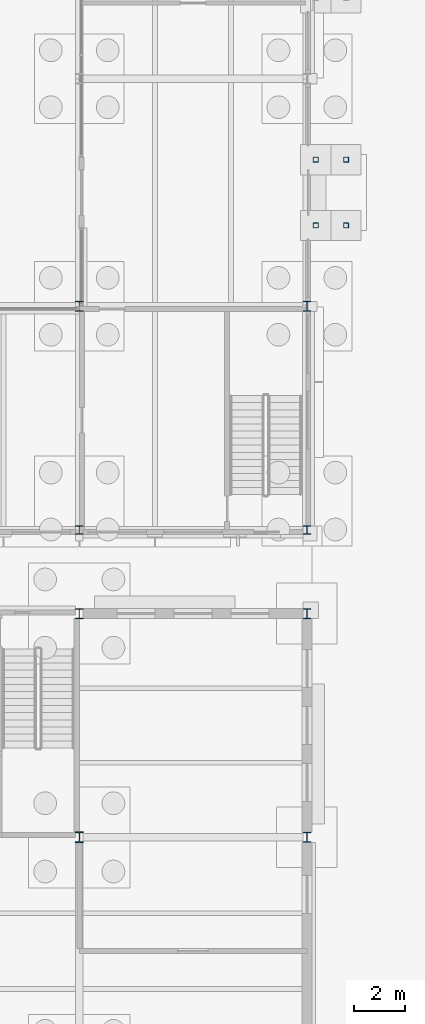
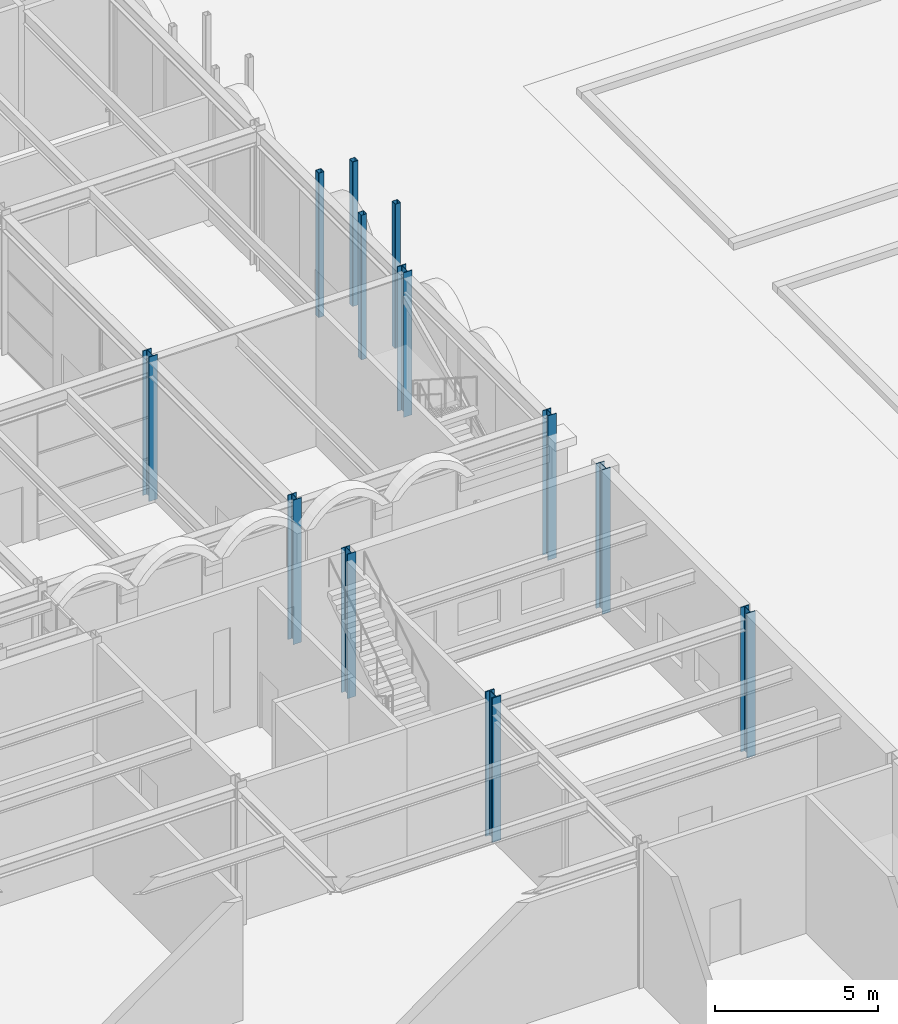
# One storey, part 13 of 126: 12 columns.
"""IFC4 building model written with IfcOpenShell, lengths in metres."""

from ifc_helpers import new_model, si_unit, direction, frame, origin, origin_2d, place, context, subcontext, project, spatial, hollow_rectangle, i_section, extrude, material, material_profile, profile_set, type_object, element, save


model = new_model("IFC4")

# Units and contexts
model_context = context("Model", 3, precision=1e-05, world=origin(), true_north=direction((0.0, 1.0)))
body_context = subcontext(model_context, "Body", "Model", "MODEL_VIEW")
ifc_project = project(units=[si_unit("LENGTHUNIT", "METRE"), si_unit("AREAUNIT", "SQUARE_METRE"), si_unit("VOLUMEUNIT", "CUBIC_METRE"), si_unit("PLANEANGLEUNIT", "RADIAN"), si_unit("MASSUNIT", "GRAM", prefix="KILO")], contexts=[model_context])

# Site, building, storey
site_placement = place(None, origin())
site = spatial("IfcSite", under=ifc_project, at=site_placement, CompositionType="ELEMENT")
building_placement = place(site_placement, origin())
building = spatial("IfcBuilding", under=site, at=building_placement, Name="Kallimachos Central Library", CompositionType="ELEMENT")
storey_placement = place(building_placement, origin())
storey = spatial("IfcBuildingStorey", under=building, at=storey_placement, Name="L00", CompositionType="ELEMENT", Elevation=0.0)

# Columns
ifc_material_1 = material(Name="Steel S355J2", Category="steel")
ifc_material_profile_1 = material_profile(ifc_material_1, i_section(OverallWidth=0.300048828125, OverallDepth=0.340087890625, WebThickness=0.011962890625, FlangeThickness=0.021484375, FilletRadius=0.027099609375, at=origin_2d()), Name="HEB 340")
ifc_profile_set_1 = profile_set([ifc_material_profile_1], Name="Steel S355J2")
column_type_1 = type_object("IfcColumnType", Name="HEB 340 column", PredefinedType="COLUMN", material=ifc_profile_set_1)
for number, where, z_axis, x_axis, name in (
    (1, (101.5, 48.14990234375, 0.0), (0.0, 0.0, 1.0), (1.0, 0.0, 0.0), "V4-COL-L00-004"),
    (2, (110.5, 48.14990234375, 0.0), (0.0, 0.0, 1.0), (1.0, 0.0, 0.0), "V4-COL-L00-005"),
):
    element("IfcColumn", number, at=place(storey_placement, frame(where, z_axis=z_axis, x_axis=x_axis)), inside=storey, type_object=column_type_1, Name=name, PredefinedType="COLUMN", context=body_context, shape_type="SweptSolid", body=[
        extrude(i_section(OverallWidth=0.300048828125, OverallDepth=0.340087890625, WebThickness=0.011962890625, FlangeThickness=0.021484375, FilletRadius=0.027099609375, at=origin_2d()), origin(), (0.0, 0.0, 1.0), 5.39990234375),
    ])
ifc_material_2 = material(Name="Steel S355J2", Category="steel")
ifc_material_profile_2 = material_profile(ifc_material_2, i_section(OverallWidth=0.300048828125, OverallDepth=0.39990234375, WebThickness=0.013427734375, FlangeThickness=0.02392578125, FilletRadius=0.027099609375, at=origin_2d()), Name="HEB 400")
ifc_profile_set_2 = profile_set([ifc_material_profile_2], Name="Steel S355J2")
column_type_2 = type_object("IfcColumnType", Name="HEB 400 column", PredefinedType="COLUMN", material=ifc_profile_set_2)
for number, where, z_axis, x_axis, name in (
    (3, (110.5, 36.0, 0.0), (0.0, 0.0, 1.0), (1.0, 0.0, 0.0), "V5-COL-L00-018"),
    (4, (101.5, 44.85009765625, 0.0), (0.0, 0.0, 1.0), (1.0, 0.0, 0.0), "V5-COL-L00-023"),
    (5, (110.5, 44.85009765625, 0.0), (0.0, 0.0, 1.0), (1.0, 0.0, 0.0), "V5-COL-L00-024"),
    (6, (101.5, 57.0, 0.0), (0.0, 0.0, 1.0), (1.0, 0.0, 0.0), "V4-COL-L00-010"),
    (7, (110.5, 57.0, 0.0), (0.0, 0.0, 1.0), (1.0, 0.0, 0.0), "V4-COL-L00-011"),
):
    element("IfcColumn", number, at=place(storey_placement, frame(where, z_axis=z_axis, x_axis=x_axis)), inside=storey, type_object=column_type_2, Name=name, PredefinedType="COLUMN", context=body_context, shape_type="SweptSolid", body=[
        extrude(i_section(OverallWidth=0.300048828125, OverallDepth=0.39990234375, WebThickness=0.013427734375, FlangeThickness=0.02392578125, FilletRadius=0.027099609375, at=origin_2d()), origin(), (0.0, 0.0, 1.0), 5.39990234375),
    ])
ifc_material_3 = material(Name="Steel S355J2", Category="steel")
ifc_material_profile_3 = material_profile(ifc_material_3, i_section(OverallWidth=0.306884765625, OverallDepth=0.431884765625, WebThickness=0.02099609375, FlangeThickness=0.0400390625, FilletRadius=0.027099609375, at=origin_2d()), Name="HEM 400")
ifc_profile_set_3 = profile_set([ifc_material_profile_3], Name="Steel S355J2")
column_type_3 = type_object("IfcColumnType", Name="HEM 400 column", PredefinedType="COLUMN", material=ifc_profile_set_3)
column_placement = place(storey_placement, frame((101.5, 36.0, 0.0), z_axis=(0.0, 0.0, 1.0), x_axis=(1.0, 0.0, 0.0)))
element("IfcColumn", 8, at=column_placement, inside=storey, type_object=column_type_3, Name="V5-COL-L00-017", PredefinedType="COLUMN", context=body_context, shape_type="SweptSolid", body=[
    extrude(i_section(OverallWidth=0.306884765625, OverallDepth=0.431884765625, WebThickness=0.02099609375, FlangeThickness=0.0400390625, FilletRadius=0.027099609375, at=origin_2d()), origin(), (0.0, 0.0, 1.0), 5.39990234375),
])
ifc_material_4 = material(Name="Steel S355J2H", Category="steel")
ifc_material_profile_4 = material_profile(ifc_material_4, hollow_rectangle(XDim=0.199951171875, YDim=0.199951171875, WallThickness=0.010009765625, InnerFilletRadius=0.010009765625, OuterFilletRadius=0.014892578125, at=origin_2d()), Name="SHS 200x200x10")
ifc_profile_set_4 = profile_set([ifc_material_profile_4], Name="Steel S355J2H")
column_type_4 = type_object("IfcColumnType", Name="SHS 200x200x10 column", PredefinedType="COLUMN", material=ifc_profile_set_4)
for number, where, z_axis, x_axis, name in (
    (9, (110.85009765625, 60.199951171875, 0.0), (0.0, 0.0, 1.0), (1.0, 0.0, 0.0), "Tribune bay E1 column 1"),
    (10, (110.85009765625, 62.800048828125, 0.0), (0.0, 0.0, 1.0), (1.0, 0.0, 0.0), "Tribune bay E1 column 2"),
    (11, (112.050048828125, 60.199951171875, 0.0), (0.0, 0.0, 1.0), (1.0, 0.0, 0.0), "Tribune bay E1 column 3"),
    (12, (112.050048828125, 62.800048828125, 0.0), (0.0, 0.0, 1.0), (1.0, 0.0, 0.0), "Tribune bay E1 column 4"),
):
    element("IfcColumn", number, at=place(storey_placement, frame(where, z_axis=z_axis, x_axis=x_axis)), inside=storey, type_object=column_type_4, Name=name, PredefinedType="COLUMN", context=body_context, shape_type="SweptSolid", body=[
        extrude(hollow_rectangle(XDim=0.199951171875, YDim=0.199951171875, WallThickness=0.010009765625, InnerFilletRadius=0.010009765625, OuterFilletRadius=0.014892578125, at=origin_2d()), origin(), (0.0, 0.0, 1.0), 5.39990234375),
    ])

save(model, "model.ifc")
